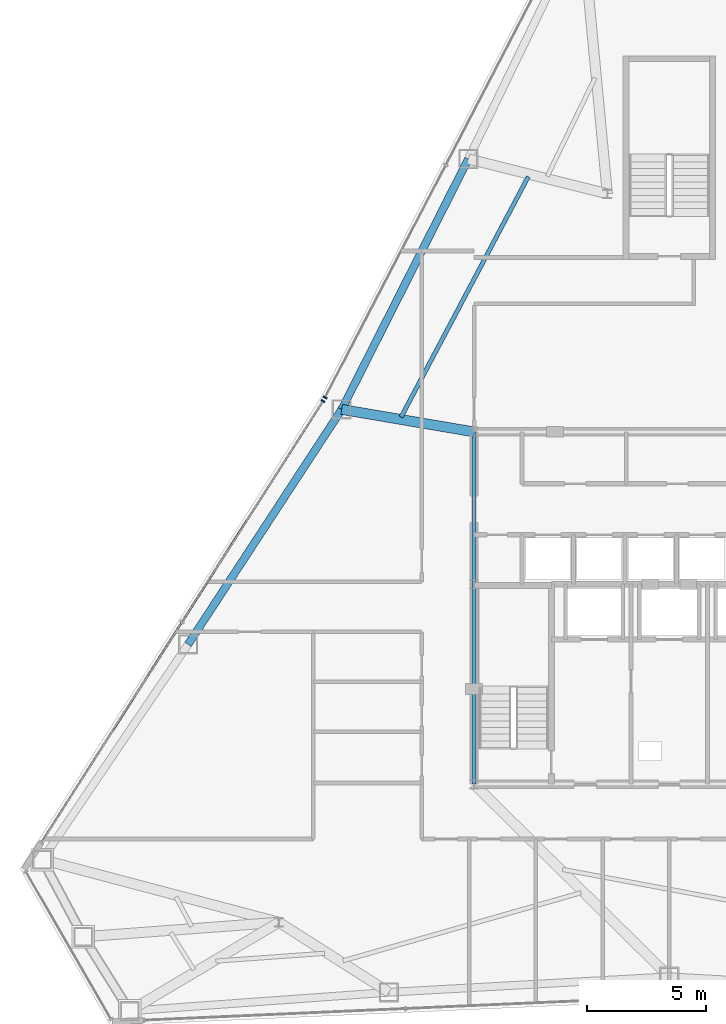
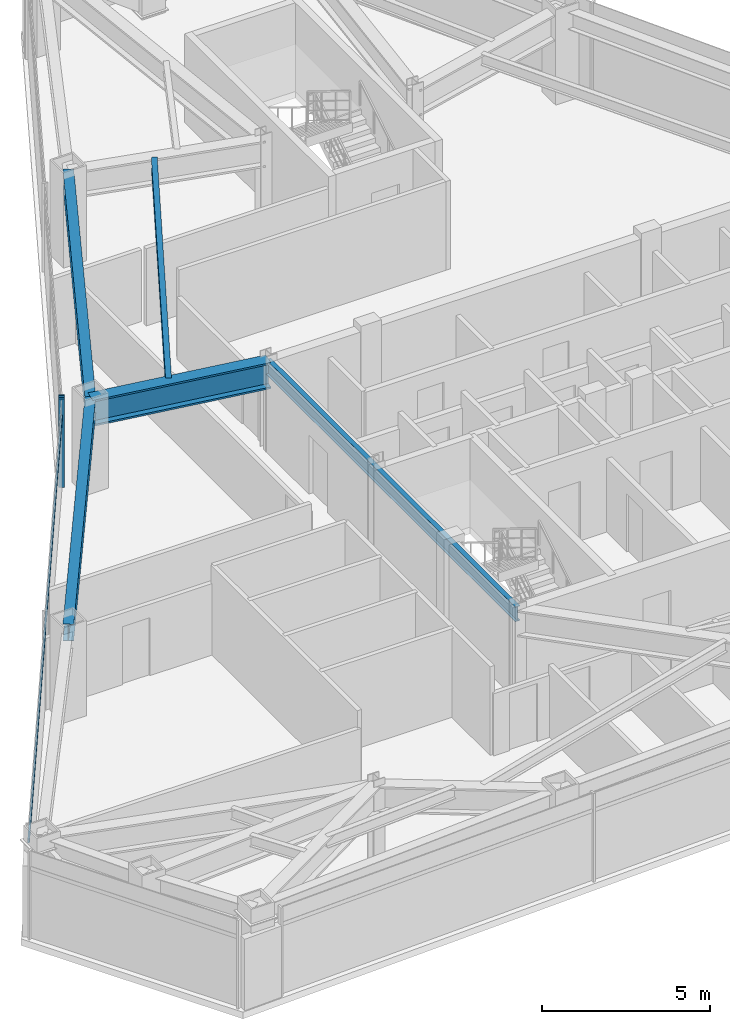
# One storey, part 5 of 13: 5 beams, 3 members, 2 elements without a shape of their own.
"""IFC4 building model written with IfcOpenShell, lengths in metres."""

from ifc_helpers import new_model, si_unit, direction, frame, origin, origin_2d, place, context, subcontext, project, spatial, rectangle, i_section, extrude, source, transform, mapped, material, layer, layer_set, material_profile, profile_set, type_object, type_shapes, element, aggregate, save


model = new_model("IFC4")

# Units and contexts
model_context = context("Model", 3, precision=1e-05, world=origin(), true_north=direction((0.0, 1.0)))
body_context = subcontext(model_context, "Body", "Model", "MODEL_VIEW")
ifc_project = project(units=[si_unit("LENGTHUNIT", "METRE"), si_unit("AREAUNIT", "SQUARE_METRE"), si_unit("VOLUMEUNIT", "CUBIC_METRE"), si_unit("PLANEANGLEUNIT", "RADIAN"), si_unit("MASSUNIT", "GRAM", prefix="KILO")], contexts=[model_context])

# Site, building, storey
site_placement = place(None, origin())
site = spatial("IfcSite", under=ifc_project, at=site_placement, CompositionType="ELEMENT")
building_placement = place(site_placement, origin())
building = spatial("IfcBuilding", under=site, at=building_placement, Name="Varakhsha Concourse Tower", CompositionType="ELEMENT")
storey_placement = place(building_placement, frame((0.0, 0.0, 186.14990234375)))
storey = spatial("IfcBuildingStorey", under=building, at=storey_placement, Name="L53", CompositionType="ELEMENT", Elevation=186.14990234375)

# Beams
ifc_material_1 = material(Name="Structural Steel ASTM A992 Grade 50", Category="steel")
ifc_material_profile_1 = material_profile(ifc_material_1, i_section(OverallWidth=0.177978515625, OverallDepth=0.406982421875, WebThickness=0.008056640625, FlangeThickness=0.012939453125, at=origin_2d()), Name="W16X40")
ifc_profile_set_1 = profile_set([ifc_material_profile_1], Name="Structural Steel ASTM A992 Grade 50")
beam_type_1 = type_object("IfcBeamType", Name="BM-JST-W16X40", PredefinedType="JOIST", material=ifc_profile_set_1)
beam_1_placement = place(storey_placement, frame((34.079833984375, 41.9248046875, 3.006591796875), z_axis=(-0.467543058514, -0.88397029839, 0.0), x_axis=(0.88397029839, -0.467543058514, 0.0)))
element("IfcBeam", 1, at=beam_1_placement, inside=storey, type_object=beam_type_1, Name="BM-TJST-L53-04", PredefinedType="JOIST", context=body_context, shape_type="SweptSolid", body=[
    extrude(i_section(OverallWidth=0.177978515625, OverallDepth=0.406982421875, WebThickness=0.008056640625, FlangeThickness=0.012939453125, at=origin_2d()), origin(), (0.0, 0.0, 1.0), 11.4248046875),
])
ifc_material_profile_2 = material_profile(ifc_material_1, i_section(OverallWidth=0.423095703125, OverallDepth=0.947998046875, WebThickness=0.0380859375, FlangeThickness=0.06396484375, at=origin_2d()), Name="W36X302")
ifc_profile_set_2 = profile_set([ifc_material_profile_2], Name="Structural Steel ASTM A992 Grade 50")
beam_type_2 = type_object("IfcBeamType", Name="BM-OUTR-W36X302", PredefinedType="USERDEFINED", material=ifc_profile_set_2)
beam_2_placement = place(storey_placement, frame((31.800048828125, 31.199951171875, 2.736083984375), z_axis=(-0.985890879111, 0.167389290235, 0.0), x_axis=(-0.167389290235, -0.985890879111, 0.0)))
element("IfcBeam", 2, at=beam_2_placement, inside=storey, type_object=beam_type_2, Name="L53 Radial Floor Girder 05", ObjectType="GIRDER", PredefinedType="USERDEFINED", context=body_context, shape_type="SweptSolid", body=[
    extrude(i_section(OverallWidth=0.423095703125, OverallDepth=0.947998046875, WebThickness=0.0380859375, FlangeThickness=0.06396484375, at=origin_2d()), origin(), (0.0, 0.0, 1.0), 5.638671875),
])
ifc_material_profile_3 = material_profile(ifc_material_1, i_section(OverallWidth=0.1669921875, OverallDepth=0.534912109375, WebThickness=0.010009765625, FlangeThickness=0.01708984375, at=origin_2d()), Name="W21X57")
ifc_profile_set_3 = profile_set([ifc_material_profile_3], Name="Structural Steel ASTM A992 Grade 50")
beam_type_3 = type_object("IfcBeamType", Name="BM-RAD-W21X57", PredefinedType="BEAM", material=ifc_profile_set_3)
beam_3_placement = place(storey_placement, frame((31.800048828125, 16.39990234375, 2.942626953125), z_axis=(0.0, 1.0, 0.0), x_axis=(-1.0, 0.0, 0.0)))
element("IfcBeam", 3, at=beam_3_placement, inside=storey, type_object=beam_type_3, Name="BM-TCORE-L53-CW", PredefinedType="BEAM", context=body_context, shape_type="SweptSolid", body=[
    extrude(i_section(OverallWidth=0.1669921875, OverallDepth=0.534912109375, WebThickness=0.010009765625, FlangeThickness=0.01708984375, at=origin_2d()), origin(), (0.0, 0.0, 1.0), 14.800048828125),
])
ifc_material_profile_4 = material_profile(ifc_material_1, i_section(OverallWidth=0.323974609375, OverallDepth=0.611083984375, WebThickness=0.012939453125, FlangeThickness=0.01904296875, at=origin_2d()), Name="W24X104")
ifc_profile_set_4 = profile_set([ifc_material_profile_4], Name="Structural Steel ASTM A992 Grade 50")
beam_type_4 = type_object("IfcBeamType", Name="BM-SPAN-W24X104", PredefinedType="SPANDREL", material=ifc_profile_set_4)
beam_4_placement = place(storey_placement, frame((31.56298828125, 42.668212890625, 2.904541015625), z_axis=(-0.451266437973, -0.892389265937, 0.0), x_axis=(0.892389265937, -0.451266437973, 0.0)))
element("IfcBeam", 4, at=beam_4_placement, inside=storey, type_object=beam_type_4, Name="BM-SPAN-L53-04", PredefinedType="SPANDREL", context=body_context, shape_type="SweptSolid", body=[
    extrude(i_section(OverallWidth=0.323974609375, OverallDepth=0.611083984375, WebThickness=0.012939453125, FlangeThickness=0.01904296875, at=origin_2d()), origin(), (0.0, 0.0, 1.0), 11.79345703125),
])
beam_5_placement = place(storey_placement, frame((26.240966796875, 32.143798828125, 2.904541015625), z_axis=(-0.547191913487, -0.837007174291, 0.0), x_axis=(0.837007174291, -0.547191913487, 0.0)))
element("IfcBeam", 5, at=beam_5_placement, inside=storey, type_object=beam_type_4, Name="BM-SPAN-L53-05", PredefinedType="SPANDREL", context=body_context, shape_type="SweptSolid", body=[
    extrude(i_section(OverallWidth=0.323974609375, OverallDepth=0.611083984375, WebThickness=0.012939453125, FlangeThickness=0.01904296875, at=origin_2d()), origin(), (0.0, 0.0, 1.0), 11.793701171875),
])

# Curtain wall, member
ifc_material_2 = material(Name="Anodised Bronze Architectural Aluminium AA 6063-T6", Category="aluminium")
ifc_layer = layer(ifc_material_2, 0.2099609375, Name="CW-SYS-04")
ifc_layer_set = layer_set([ifc_layer], Name="Anodised Bronze Architectural Aluminium AA 6063-T6")
curtain_wall_type = type_object("IfcCurtainWallType", Name="CW-SYS-04", PredefinedType="NOTDEFINED", material=ifc_layer_set)
curtain_wall_1_placement = place(storey_placement, origin())
curtain_wall_1 = element("IfcCurtainWall", 6, at=curtain_wall_1_placement, inside=storey, type_object=curtain_wall_type, Name="L53 Crystal Curtain Wall F2", PredefinedType="NOTDEFINED")
ifc_material_profile_5 = material_profile(ifc_material_2, rectangle(XDim=0.06494140625, YDim=0.179931640625, at=origin_2d()), Name="CWM-180X65")
ifc_profile_set_5 = profile_set([ifc_material_profile_5], Name="Anodised Bronze Architectural Aluminium AA 6063-T6")
member_type_1 = type_object("IfcMemberType", Name="CWM-180X65", PredefinedType="MULLION", material=ifc_profile_set_5)
shared_shape_1 = source(origin(), body_context, "Body", "SweptSolid", [
    extrude(rectangle(XDim=0.06494140625, YDim=0.179931640625, at=origin_2d()), origin(), (0.0, 0.0, 1.0), 3.210205078125),
])
type_shapes(member_type_1, [shared_shape_1])
member_1_placement = place(storey_placement, frame((25.54345703125, 32.64697265625, 0.0), z_axis=(0.0, 0.0, 1.0), x_axis=(0.461155577875, 0.887319295967, 0.0)))
member_1 = element("IfcMember", 7, at=member_1_placement, type_object=member_type_1, Name="CW-L53-F2 Mullion 00", PredefinedType="MULLION", context=body_context, shape_type="MappedRepresentation", body=[
    mapped(shared_shape_1, transform((0.0, 0.0, 0.0), scale=1.0)),
])
aggregate(curtain_wall_1, [member_1])

# Curtain wall, members
curtain_wall_2_placement = place(storey_placement, origin())
curtain_wall_2 = element("IfcCurtainWall", 8, at=curtain_wall_2_placement, inside=storey, type_object=curtain_wall_type, Name="L53 Crystal Curtain Wall F3", PredefinedType="NOTDEFINED")
member_2_placement = place(storey_placement, frame((25.45654296875, 32.49609375, 0.0), z_axis=(0.0, 0.0, 1.0), x_axis=(0.537863262638, 0.84303209352, 0.0)))
member_2 = element("IfcMember", 9, at=member_2_placement, type_object=member_type_1, Name="CW-L53-F3 Mullion 02", PredefinedType="MULLION", context=body_context, shape_type="MappedRepresentation", body=[
    mapped(shared_shape_1, transform((0.0, 0.0, 0.0), scale=1.0)),
])
ifc_material_profile_6 = material_profile(ifc_material_2, rectangle(XDim=0.06005859375, YDim=0.139892578125, at=origin_2d()), Name="CWT-140X60")
ifc_profile_set_6 = profile_set([ifc_material_profile_6], Name="Anodised Bronze Architectural Aluminium AA 6063-T6")
member_type_2 = type_object("IfcMemberType", Name="CWT-140X60", PredefinedType="USERDEFINED", material=ifc_profile_set_6)
shared_shape_2 = source(origin(), body_context, "Body", "SweptSolid", [
    extrude(rectangle(XDim=0.06005859375, YDim=0.139892578125, at=origin_2d()), origin(), (0.0, 0.0, 1.0), 21.99609375),
])
type_shapes(member_type_2, [shared_shape_2])
member_3_placement = place(storey_placement, frame((13.62548828125, 13.952880859375, 2.56005859375), z_axis=(0.537872683916, 0.843026082572, 0.0), x_axis=(-0.843026082572, 0.537872683916, 0.0)))
member_3 = element("IfcMember", 10, at=member_3_placement, type_object=member_type_2, Name="CW-L53-F3 Transom 01", ObjectType="TRANSOM", PredefinedType="USERDEFINED", context=body_context, shape_type="MappedRepresentation", body=[
    mapped(shared_shape_2, transform((0.0, 0.0, 0.0), scale=1.0)),
])
aggregate(curtain_wall_2, [member_2, member_3])

save(model, "model.ifc")
